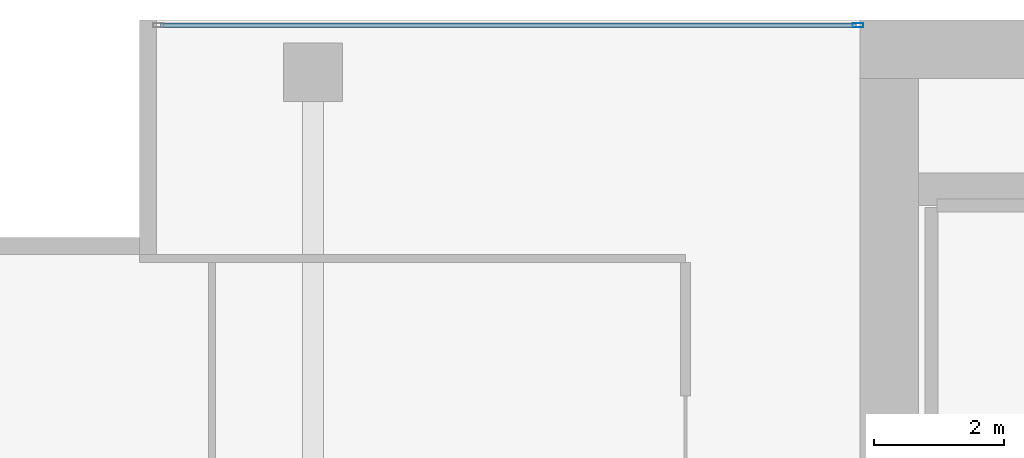
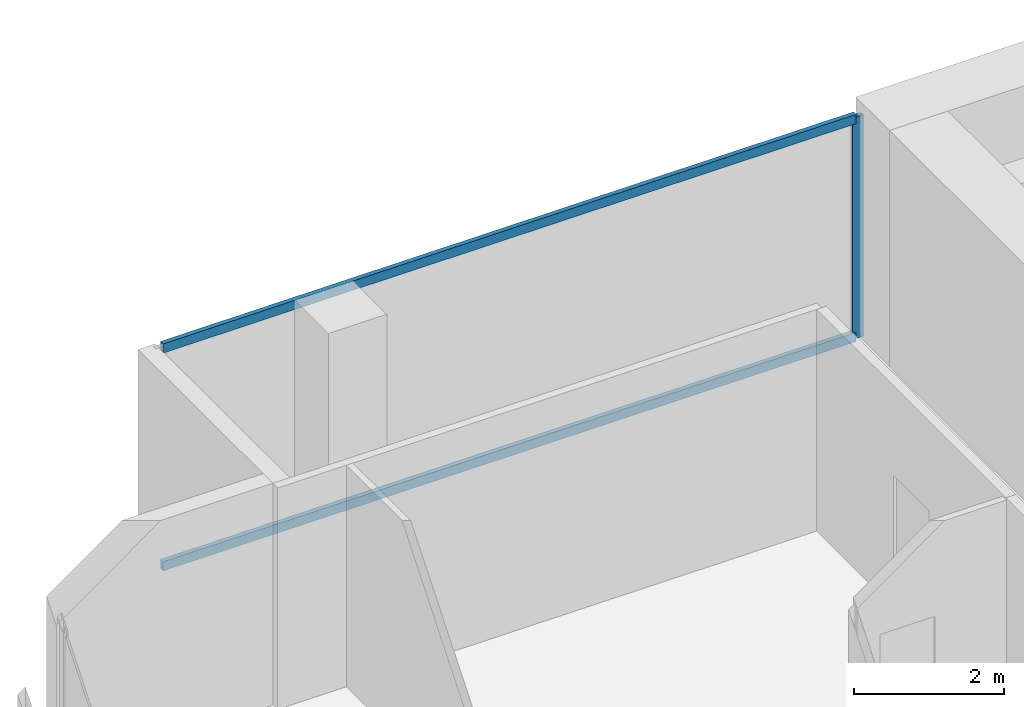
# One storey, part 26 of 39: 3 members, 1 element without a shape of its own.
"""IFC4 building model written with IfcOpenShell, lengths in metres."""

from ifc_helpers import new_model, si_unit, direction, frame, origin, origin_2d, place, context, subcontext, project, spatial, hollow_rectangle, extrude, material, layer, layer_set, material_profile, profile_set, type_object, element, aggregate, save


model = new_model("IFC4")

# Units and contexts
model_context = context("Model", 3, precision=1e-05, world=origin(), true_north=direction((0.0, 1.0)))
body_context = subcontext(model_context, "Body", "Model", "MODEL_VIEW")
ifc_project = project(units=[si_unit("LENGTHUNIT", "METRE"), si_unit("AREAUNIT", "SQUARE_METRE"), si_unit("VOLUMEUNIT", "CUBIC_METRE"), si_unit("PLANEANGLEUNIT", "RADIAN"), si_unit("MASSUNIT", "GRAM", prefix="KILO")], contexts=[model_context])

# Site, building, storey
site_placement = place(None, origin())
site = spatial("IfcSite", under=ifc_project, at=site_placement, CompositionType="ELEMENT")
building_placement = place(site_placement, origin())
building = spatial("IfcBuilding", under=site, at=building_placement, Name="Maruvema Waterfront Hotel and Observation Tower", CompositionType="ELEMENT")
storey_placement = place(building_placement, frame((0.0, 0.0, 46.199951171875)))
storey = spatial("IfcBuildingStorey", under=building, at=storey_placement, Name="L10", CompositionType="ELEMENT", Elevation=46.199951171875)

# Curtain wall, members
ifc_material_1 = material(Name="Anodised bronze aluminium and solar-control low-E IGU", Category="aluminium")
ifc_layer = layer(ifc_material_1, 0.159912109375, Name="Zone 1 Bronze Inner Thermal Curtain Wall System CW-02")
ifc_layer_set = layer_set([ifc_layer], Name="Anodised bronze aluminium and solar-control low-E IGU")
curtain_wall_type = type_object("IfcCurtainWallType", Name="Zone 1 Bronze Inner Thermal Curtain Wall System CW-02", PredefinedType="USERDEFINED", material=ifc_layer_set)
curtain_wall_placement = place(storey_placement, origin())
curtain_wall = element("IfcCurtainWall", 1, at=curtain_wall_placement, inside=storey, type_object=curtain_wall_type, Name="L10 Curtain Wall CW-L10-NW", ObjectType="UNITISED CURTAIN WALL", PredefinedType="USERDEFINED")
ifc_material_2 = material(Name="Anodised architectural bronze aluminium", Category="aluminium")
ifc_material_profile_1 = material_profile(ifc_material_2, hollow_rectangle(XDim=0.070068359375, YDim=0.14990234375, WallThickness=0.00390625, at=origin_2d()), Name="ALU-T70x150")
ifc_profile_set_1 = profile_set([ifc_material_profile_1], Name="Anodised architectural bronze aluminium")
member_type_1 = type_object("IfcMemberType", Name="Curtain Wall Horizontal Transom ALU-T70x150", PredefinedType="USERDEFINED", material=ifc_profile_set_1)
member_1_placement = place(storey_placement, frame((25.139892578125, 53.919921875, 0.030029296875), z_axis=(-1.0, 0.0, 0.0), x_axis=(0.0, -1.0, 0.0)))
member_1 = element("IfcMember", 2, at=member_1_placement, type_object=member_type_1, Name="CW-02 transom 1.1", ObjectType="TRANSOM", PredefinedType="USERDEFINED", context=body_context, shape_type="SweptSolid", body=[
    extrude(hollow_rectangle(XDim=0.070068359375, YDim=0.14990234375, WallThickness=0.00390625, at=origin_2d()), origin(), (0.0, 0.0, 1.0), 10.679931640625),
])
member_2_placement = place(storey_placement, frame((25.139892578125, 53.919921875, 3.580078125), z_axis=(-1.0, 0.0, 0.0), x_axis=(0.0, -1.0, 0.0)))
member_2 = element("IfcMember", 3, at=member_2_placement, type_object=member_type_1, Name="CW-02 transom 1.2", ObjectType="TRANSOM", PredefinedType="USERDEFINED", context=body_context, shape_type="SweptSolid", body=[
    extrude(hollow_rectangle(XDim=0.070068359375, YDim=0.14990234375, WallThickness=0.00390625, at=origin_2d()), origin(), (0.0, 0.0, 1.0), 10.679931640625),
])
ifc_material_3 = material(Name="Anodised architectural bronze aluminium", Category="aluminium")
ifc_material_profile_2 = material_profile(ifc_material_3, hollow_rectangle(XDim=0.06494140625, YDim=0.1650390625, WallThickness=0.00390625, at=origin_2d()), Name="ALU-M65x165")
ifc_profile_set_2 = profile_set([ifc_material_profile_2], Name="Anodised architectural bronze aluminium")
member_type_2 = type_object("IfcMemberType", Name="Curtain Wall Primary Mullion ALU-M65x165", PredefinedType="MULLION", material=ifc_profile_set_2)
member_3_placement = place(storey_placement, frame((25.169921875, 53.919921875, 0.0), z_axis=(0.0, 0.0, 1.0), x_axis=(0.0, -1.0, 0.0)))
member_3 = element("IfcMember", 4, at=member_3_placement, type_object=member_type_2, Name="CW-02 mullion 1", PredefinedType="MULLION", context=body_context, shape_type="SweptSolid", body=[
    extrude(hollow_rectangle(XDim=0.06494140625, YDim=0.1650390625, WallThickness=0.00390625, at=origin_2d()), origin(), (0.0, 0.0, 1.0), 3.610107421875),
])
aggregate(curtain_wall, [member_3, member_1, member_2])

save(model, "model.ifc")
